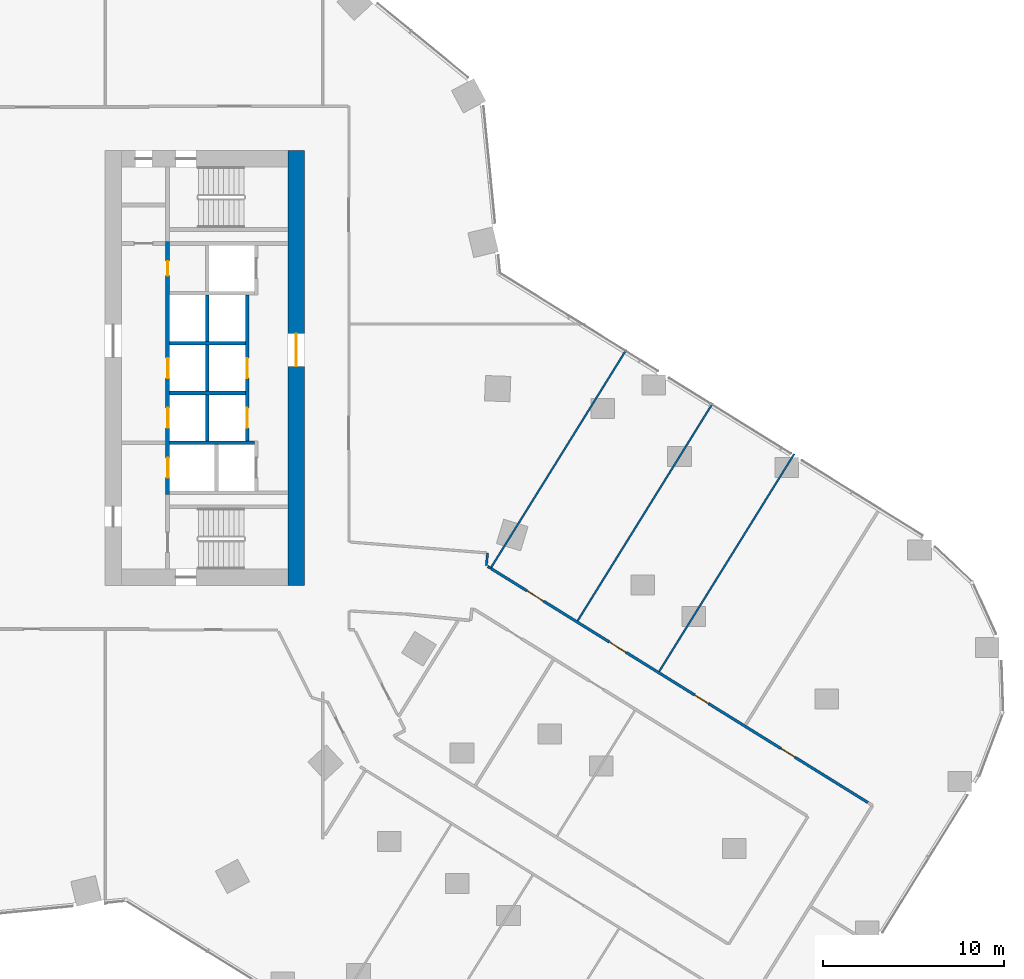
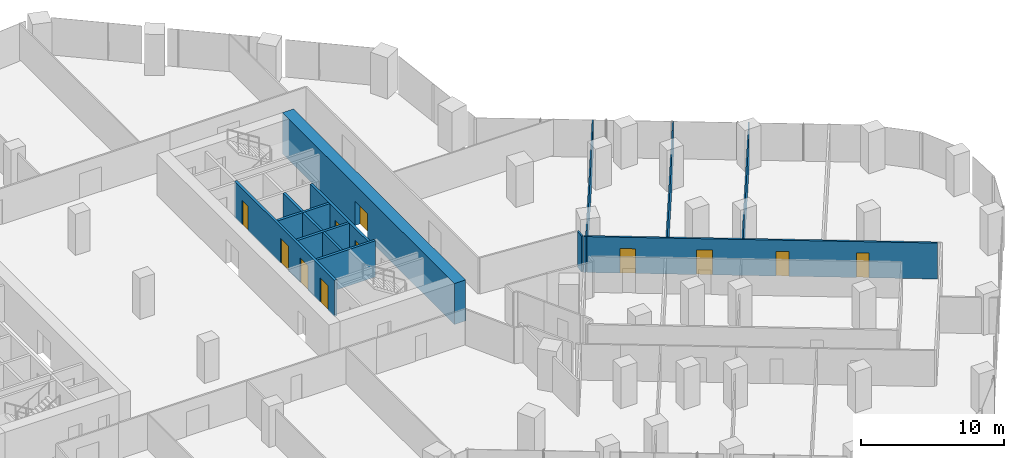
# One storey, part 31 of 34: 15 walls, 11 doors, 11 openings.
"""IFC4 building model written with IfcOpenShell, lengths in metres."""

from ifc_helpers import new_model, si_unit, direction, frame, frame_2d, origin, place, context, subcontext, project, spatial, rectangle, extrude, material, layer, layer_set, type_object, element, fill, save


model = new_model("IFC4")

# Units and contexts
model_context = context("Model", 3, precision=1e-05, world=origin(), true_north=direction((0.0, 1.0)))
body_context = subcontext(model_context, "Body", "Model", "MODEL_VIEW")
ifc_project = project(units=[si_unit("LENGTHUNIT", "METRE"), si_unit("AREAUNIT", "SQUARE_METRE"), si_unit("VOLUMEUNIT", "CUBIC_METRE"), si_unit("PLANEANGLEUNIT", "RADIAN"), si_unit("MASSUNIT", "GRAM", prefix="KILO")], contexts=[model_context])

# Site, building, storey
site_placement = place(None, origin())
site = spatial("IfcSite", under=ifc_project, at=site_placement, CompositionType="ELEMENT")
building_placement = place(site_placement, origin())
building = spatial("IfcBuilding", under=site, at=building_placement, Name="Orlundy Tower", CompositionType="ELEMENT")
storey_placement = place(building_placement, frame((0.0, 0.0, 40.800048828125)))
storey = spatial("IfcBuildingStorey", under=building, at=storey_placement, Name="L08", CompositionType="ELEMENT", Elevation=40.800048828125)

# Wall, opening, door
ifc_material_1 = material(Name="Concrete C80/95", Category="concrete")
ifc_layer_1 = layer(ifc_material_1, 0.89990234375)
ifc_layer_set_1 = layer_set([ifc_layer_1], Name="CORE WALL 900 C80/95")
wall_type_1 = type_object("IfcWallType", Name="CORE WALL 900 C80/95", PredefinedType="SHEAR", material=ifc_layer_set_1)
wall_1_placement = place(storey_placement, frame((18.550048828125, -12.0, 0.0), z_axis=(0.0, 0.0, 1.0), x_axis=(0.0, 1.0, 0.0)))
wall_1 = element("IfcWall", 1, at=wall_1_placement, inside=storey, type_object=wall_type_1, Name="Core wall E-E L08", PredefinedType="SHEAR", context=body_context, shape_type="SweptSolid", body=[
    extrude(rectangle(XDim=24.0, YDim=0.89990234375, at=frame_2d((12.0, 0.0))), origin(), (0.0, 0.0, 1.0), 3.5),
])
opening_1_placement = place(wall_1_placement, frame((12.10009765625, 0.0, 0.0)))
opening_1 = element("IfcOpeningElement", 2, at=opening_1_placement, cuts=wall_1, Name="Opening 09059", PredefinedType="OPENING", context=body_context, shape_type="SweptSolid", body=[
    extrude(rectangle(XDim=1.800048828125, YDim=2.10009765625, at=frame_2d((0.89990234375, 1.050048828125))), frame((0.0, 0.4599609375, 0.0), z_axis=(0.0, -1.0, 0.0), x_axis=(1.0, 0.0, 0.0)), (0.0, 0.0, 1.0), 0.919921875),
])
ifc_material_2 = material(Name="Timber door set", Category="wood")
door_type_1 = type_object("IfcDoorType", Name="Lobby Door 1800x2100", OperationType="DOUBLE_DOOR_DOUBLE_SWING", PredefinedType="DOOR", material=ifc_material_2)
door_1_placement = place(opening_1_placement, origin())
door_1 = element("IfcDoor", 3, at=door_1_placement, inside=storey, type_object=door_type_1, Name="Lift lobby door 09059", OperationType="SINGLE_SWING_RIGHT", OverallHeight=2.10009765625, OverallWidth=1.800048828125, PredefinedType="DOOR", context=body_context, shape_type="SweptSolid", body=[
    extrude(rectangle(XDim=1.800048828125, YDim=2.10009765625, at=frame_2d((0.89990234375, 1.050048828125))), frame((0.0, 0.02490234375, 0.0), z_axis=(0.0, -1.0, 0.0), x_axis=(1.0, 0.0, 0.0)), (0.0, 0.0, 1.0), 0.050048828125),
])
fill(opening_1, door_1)

# Walls
ifc_material_3 = material(Name="Gypsum board partition")
ifc_layer_2 = layer(ifc_material_3, 0.10009765625)
ifc_layer_set_2 = layer_set([ifc_layer_2], Name="Floor partition 100")
wall_type_2 = type_object("IfcWallType", Name="Floor partition 100", PredefinedType="PARTITIONING", material=ifc_layer_set_2)
for number, where, z_axis, x_axis, name in (
    (4, (38.573974609375, -16.737060546875, 0.0), (0.0, 0.0, 1.0), (0.527429557997, 0.849598764919, 0.0), "wall-int-L08-062"),
    (5, (34.072021484375, -13.94189453125, 0.0), (0.0, 0.0, 1.0), (0.527437304247, 0.84959395601, 0.0), "wall-int-L08-065"),
):
    element("IfcWall", number, at=place(storey_placement, frame(where, z_axis=z_axis, x_axis=x_axis)), inside=storey, type_object=wall_type_2, Name=name, PredefinedType="PARTITIONING", context=body_context, shape_type="SweptSolid", body=[
        extrude(rectangle(XDim=14.123046875, YDim=0.10009765625, at=frame_2d((7.0615234375, 0.0))), origin(), (0.0, 0.0, 1.0), 3.06005859375),
    ])
wall_2_placement = place(storey_placement, frame((29.26806640625, -11.048095703125, 0.0), z_axis=(0.0, 0.0, 1.0), x_axis=(0.527446323462, 0.849588356716, 0.0)))
element("IfcWall", 6, at=wall_2_placement, inside=storey, type_object=wall_type_2, Name="wall-int-L08-068", PredefinedType="PARTITIONING", context=body_context, shape_type="SweptSolid", body=[
    extrude(rectangle(XDim=14.19873046875, YDim=0.10009765625, at=frame_2d((7.099365234375, 0.0))), origin(), (0.0, 0.0, 1.0), 3.06005859375),
])
ifc_material_4 = material(Name="Gypsum board partition, double layer")
ifc_layer_3 = layer(ifc_material_4, 0.125)
ifc_layer_set_3 = layer_set([ifc_layer_3], Name="Floor partition 125")
wall_type_3 = type_object("IfcWallType", Name="Floor partition 125", PredefinedType="PARTITIONING", material=ifc_layer_set_3)
wall_3_placement = place(storey_placement, frame((29.116943359375, -10.955078125, 0.0), z_axis=(0.0, 0.0, 1.0), x_axis=(0.851611075983, -0.524174184087, 0.0)))
element("IfcWall", 7, at=wall_3_placement, inside=storey, type_object=wall_type_3, Name="wall-int-L08-027", PredefinedType="PARTITIONING", context=body_context, shape_type="SweptSolid", body=[
    extrude(rectangle(XDim=0.177490234375, YDim=0.125, at=frame_2d((0.0888671875, 0.0))), origin(), (0.0, 0.0, 1.0), 3.06005859375),
])
wall_4_placement = place(storey_placement, frame((29.031982421875, -10.902099609375, 0.0), z_axis=(0.0, 0.0, 1.0), x_axis=(0.098777968406, 0.995109497974, 0.0)))
element("IfcWall", 8, at=wall_4_placement, inside=storey, type_object=wall_type_3, Name="wall-int-L08-071", PredefinedType="PARTITIONING", context=body_context, shape_type="SweptSolid", body=[
    extrude(rectangle(XDim=0.699462890625, YDim=0.125, at=frame_2d((0.349609375, 0.0))), origin(), (0.0, 0.0, 1.0), 3.06005859375),
])

# Wall, openings, doors
ifc_material_5 = material(Name="Blockwork shaft wall", Category="masonry")
ifc_layer_4 = layer(ifc_material_5, 0.14990234375)
ifc_layer_set_4 = layer_set([ifc_layer_4], Name="Floor shaft wall 150")
wall_type_4 = type_object("IfcWallType", Name="Floor shaft wall 150", PredefinedType="PARTITIONING", material=ifc_layer_set_4)
wall_5_placement = place(storey_placement, frame((29.31005859375, -11.073974609375, 0.0), z_axis=(0.0, 0.0, 1.0), x_axis=(0.849545912719, -0.527514684329, 0.0)))
wall_5 = element("IfcWall", 9, at=wall_5_placement, inside=storey, type_object=wall_type_4, Name="wall-int-L08-026", PredefinedType="PARTITIONING", context=body_context, shape_type="SweptSolid", body=[
    extrude(rectangle(XDim=24.45654296875, YDim=0.14990234375, at=frame_2d((12.228271484375, 0.0))), origin(), (0.0, 0.0, 1.0), 3.06005859375),
])
opening_2_placement = place(wall_5_placement, frame((2.300048828125, 0.0, 0.0)))
opening_2 = element("IfcOpeningElement", 10, at=opening_2_placement, cuts=wall_5, Name="Opening 09100", PredefinedType="OPENING", context=body_context, shape_type="SweptSolid", body=[
    extrude(rectangle(XDim=1.10009765625, YDim=2.10009765625, at=frame_2d((0.550048828125, 1.050048828125))), frame((0.0, 0.0849609375, 0.0), z_axis=(0.0, -1.0, 0.0), x_axis=(1.0, 0.0, 0.0)), (0.0, 0.0, 1.0), 0.169921875),
])
opening_3_placement = place(wall_5_placement, frame((7.65771484375, 0.0, 0.0)))
opening_3 = element("IfcOpeningElement", 11, at=opening_3_placement, cuts=wall_5, Name="Opening 09101", PredefinedType="OPENING", context=body_context, shape_type="SweptSolid", body=[
    extrude(rectangle(XDim=1.10009765625, YDim=2.10009765625, at=frame_2d((0.550048828125, 1.050048828125))), frame((0.0, 0.0849609375, 0.0), z_axis=(0.0, -1.0, 0.0), x_axis=(1.0, 0.0, 0.0)), (0.0, 0.0, 1.0), 0.169921875),
])
opening_4_placement = place(wall_5_placement, frame((13.206787109375, 0.0, 0.0)))
opening_4 = element("IfcOpeningElement", 12, at=opening_4_placement, cuts=wall_5, Name="Opening 09104", PredefinedType="OPENING", context=body_context, shape_type="SweptSolid", body=[
    extrude(rectangle(XDim=0.89990234375, YDim=2.10009765625, at=frame_2d((0.449951171875, 1.050048828125))), frame((0.0, 0.0849609375, 0.0), z_axis=(0.0, -1.0, 0.0), x_axis=(1.0, 0.0, 0.0)), (0.0, 0.0, 1.0), 0.169921875),
])
opening_5_placement = place(wall_5_placement, frame((18.806396484375, 0.0, 0.0)))
opening_5 = element("IfcOpeningElement", 13, at=opening_5_placement, cuts=wall_5, Name="Opening 09107", PredefinedType="OPENING", context=body_context, shape_type="SweptSolid", body=[
    extrude(rectangle(XDim=0.89990234375, YDim=2.10009765625, at=frame_2d((0.449951171875, 1.050048828125))), frame((0.0, 0.0849609375, 0.0), z_axis=(0.0, -1.0, 0.0), x_axis=(1.0, 0.0, 0.0)), (0.0, 0.0, 1.0), 0.169921875),
])
ifc_material_6 = material(Name="Timber door leaf", Category="wood")
door_type_2 = type_object("IfcDoorType", Name="Floor door single 900 FD60", OperationType="NOTDEFINED", PredefinedType="DOOR", material=ifc_material_6)
door_2_placement = place(opening_4_placement, origin())
door_2 = element("IfcDoor", 14, at=door_2_placement, inside=storey, type_object=door_type_2, Name="Door 09104", OperationType="SINGLE_SWING_RIGHT", OverallHeight=2.10009765625, OverallWidth=0.89990234375, PredefinedType="DOOR", context=body_context, shape_type="SweptSolid", body=[
    extrude(rectangle(XDim=0.89990234375, YDim=2.10009765625, at=frame_2d((0.449951171875, 1.050048828125))), frame((0.0, 0.02490234375, 0.0), z_axis=(0.0, -1.0, 0.0), x_axis=(1.0, 0.0, 0.0)), (0.0, 0.0, 1.0), 0.050048828125),
])
fill(opening_4, door_2)
door_3_placement = place(opening_5_placement, origin())
door_3 = element("IfcDoor", 15, at=door_3_placement, inside=storey, type_object=door_type_2, Name="Door 09107", OperationType="SINGLE_SWING_RIGHT", OverallHeight=2.10009765625, OverallWidth=0.89990234375, PredefinedType="DOOR", context=body_context, shape_type="SweptSolid", body=[
    extrude(rectangle(XDim=0.89990234375, YDim=2.10009765625, at=frame_2d((0.449951171875, 1.050048828125))), frame((0.0, 0.02490234375, 0.0), z_axis=(0.0, -1.0, 0.0), x_axis=(1.0, 0.0, 0.0)), (0.0, 0.0, 1.0), 0.050048828125),
])
fill(opening_5, door_3)
ifc_material_7 = material(Name="Timber door leaf", Category="wood")
door_type_3 = type_object("IfcDoorType", Name="Floor door xwide 1100 FD60", OperationType="NOTDEFINED", PredefinedType="DOOR", material=ifc_material_7)
door_4_placement = place(opening_2_placement, origin())
door_4 = element("IfcDoor", 16, at=door_4_placement, inside=storey, type_object=door_type_3, Name="Door 09100", OperationType="SINGLE_SWING_LEFT", OverallHeight=2.10009765625, OverallWidth=1.10009765625, PredefinedType="DOOR", context=body_context, shape_type="SweptSolid", body=[
    extrude(rectangle(XDim=1.10009765625, YDim=2.10009765625, at=frame_2d((0.550048828125, 1.050048828125))), frame((0.0, 0.02490234375, 0.0), z_axis=(0.0, -1.0, 0.0), x_axis=(1.0, 0.0, 0.0)), (0.0, 0.0, 1.0), 0.050048828125),
])
fill(opening_2, door_4)
door_5_placement = place(opening_3_placement, origin())
door_5 = element("IfcDoor", 17, at=door_5_placement, inside=storey, type_object=door_type_3, Name="Door 09101", OperationType="SINGLE_SWING_LEFT", OverallHeight=2.10009765625, OverallWidth=1.10009765625, PredefinedType="DOOR", context=body_context, shape_type="SweptSolid", body=[
    extrude(rectangle(XDim=1.10009765625, YDim=2.10009765625, at=frame_2d((0.550048828125, 1.050048828125))), frame((0.0, 0.02490234375, 0.0), z_axis=(0.0, -1.0, 0.0), x_axis=(1.0, 0.0, 0.0)), (0.0, 0.0, 1.0), 0.050048828125),
])
fill(opening_3, door_5)

# Walls
ifc_material_8 = material(Name="Fire-rated blockwork shaft wall", Category="masonry")
ifc_layer_5 = layer(ifc_material_8, 0.199951171875)
ifc_layer_set_5 = layer_set([ifc_layer_5], Name="Shaft Wall 200")
wall_type_5 = type_object("IfcWallType", Name="Shaft Wall 200", PredefinedType="SOLIDWALL", material=ifc_layer_set_5)
for number, where, z_axis, x_axis, name in (
    (18, (11.5400390625, 1.375, 0.0), (0.0, 0.0, 1.0), (1.0, 0.0, 0.0), "Shaft wall E09-cross-1.375"),
    (19, (11.5400390625, -1.375, 0.0), (0.0, 0.0, 1.0), (1.0, 0.0, 0.0), "Shaft wall E09-cross+1.375"),
):
    element("IfcWall", number, at=place(storey_placement, frame(where, z_axis=z_axis, x_axis=x_axis)), inside=storey, type_object=wall_type_5, Name=name, PredefinedType="SOLIDWALL", context=body_context, shape_type="SweptSolid", body=[
        extrude(rectangle(XDim=4.199951171875, YDim=0.199951171875, at=frame_2d((2.10009765625, 0.0))), origin(), (0.0, 0.0, 1.0), 3.079833984375),
    ])
wall_6_placement = place(storey_placement, frame((11.5400390625, -4.125, 0.0), z_axis=(0.0, 0.0, 1.0), x_axis=(1.0, 0.0, 0.0)))
element("IfcWall", 20, at=wall_6_placement, inside=storey, type_object=wall_type_5, Name="Shaft wall E09-cross+4.125", PredefinedType="SOLIDWALL", context=body_context, shape_type="SweptSolid", body=[
    extrude(rectangle(XDim=4.699951171875, YDim=0.199951171875, at=frame_2d((2.35009765625, 0.0))), origin(), (0.0, 0.0, 1.0), 3.079833984375),
])

# Wall, openings, doors
wall_7_placement = place(storey_placement, frame((11.43994140625, 6.97509765625, 0.0), z_axis=(0.0, 0.0, 1.0), x_axis=(0.0, -1.0, 0.0)))
wall_7 = element("IfcWall", 21, at=wall_7_placement, inside=storey, type_object=wall_type_5, Name="Shaft wall E09-front-h", PredefinedType="SOLIDWALL", context=body_context, shape_type="SweptSolid", body=[
    extrude(rectangle(XDim=13.9501953125, YDim=0.199951171875, at=frame_2d((6.97509765625, 0.0))), origin(), (0.0, 0.0, 1.0), 3.079833984375),
])
opening_6_placement = place(wall_7_placement, frame((6.425048828125, 0.0, 0.0)))
opening_6 = element("IfcOpeningElement", 22, at=opening_6_placement, cuts=wall_7, Name="Opening 09051", PredefinedType="OPENING", context=body_context, shape_type="SweptSolid", body=[
    extrude(rectangle(XDim=1.10009765625, YDim=2.10009765625, at=frame_2d((0.550048828125, 1.050048828125))), frame((0.0, 0.110107421875, 0.0), z_axis=(0.0, -1.0, 0.0), x_axis=(1.0, 0.0, 0.0)), (0.0, 0.0, 1.0), 0.22021484375),
])
opening_7_placement = place(wall_7_placement, frame((9.175048828125, 0.0, 0.0)))
opening_7 = element("IfcOpeningElement", 23, at=opening_7_placement, cuts=wall_7, Name="Opening 09053", PredefinedType="OPENING", context=body_context, shape_type="SweptSolid", body=[
    extrude(rectangle(XDim=1.10009765625, YDim=2.10009765625, at=frame_2d((0.550048828125, 1.050048828125))), frame((0.0, 0.110107421875, 0.0), z_axis=(0.0, -1.0, 0.0), x_axis=(1.0, 0.0, 0.0)), (0.0, 0.0, 1.0), 0.22021484375),
])
opening_8_placement = place(wall_7_placement, frame((11.925048828125, 0.0, 0.0)))
opening_8 = element("IfcOpeningElement", 24, at=opening_8_placement, cuts=wall_7, Name="Opening 09055", PredefinedType="OPENING", context=body_context, shape_type="SweptSolid", body=[
    extrude(rectangle(XDim=1.10009765625, YDim=2.10009765625, at=frame_2d((0.550048828125, 1.050048828125))), frame((0.0, 0.110107421875, 0.0), z_axis=(0.0, -1.0, 0.0), x_axis=(1.0, 0.0, 0.0)), (0.0, 0.0, 1.0), 0.22021484375),
])
opening_9_placement = place(wall_7_placement, frame((1.074951171875, 0.0, 0.0)))
opening_9 = element("IfcOpeningElement", 25, at=opening_9_placement, cuts=wall_7, Name="Opening 09057", PredefinedType="OPENING", context=body_context, shape_type="SweptSolid", body=[
    extrude(rectangle(XDim=0.800048828125, YDim=2.10009765625, at=frame_2d((0.39990234375, 1.050048828125))), frame((0.0, 0.110107421875, 0.0), z_axis=(0.0, -1.0, 0.0), x_axis=(1.0, 0.0, 0.0)), (0.0, 0.0, 1.0), 0.22021484375),
])
ifc_material_9 = material(Name="Steel door set", Category="steel")
door_type_4 = type_object("IfcDoorType", Name="Landing Door 1100x2100", OperationType="DOUBLE_DOOR_SLIDING", PredefinedType="DOOR", material=ifc_material_9)
door_6_placement = place(opening_6_placement, origin())
door_6 = element("IfcDoor", 26, at=door_6_placement, inside=storey, type_object=door_type_4, Name="Lift landing door LP-10 09051", OperationType="DOUBLE_DOOR_SLIDING", OverallHeight=2.10009765625, OverallWidth=1.10009765625, PredefinedType="DOOR", context=body_context, shape_type="SweptSolid", body=[
    extrude(rectangle(XDim=1.10009765625, YDim=2.10009765625, at=frame_2d((0.550048828125, 1.050048828125))), frame((0.0, 0.02490234375, 0.0), z_axis=(0.0, -1.0, 0.0), x_axis=(1.0, 0.0, 0.0)), (0.0, 0.0, 1.0), 0.050048828125),
])
fill(opening_6, door_6)
door_7_placement = place(opening_7_placement, origin())
door_7 = element("IfcDoor", 27, at=door_7_placement, inside=storey, type_object=door_type_4, Name="Lift landing door LP-07 09053", OperationType="DOUBLE_DOOR_SLIDING", OverallHeight=2.10009765625, OverallWidth=1.10009765625, PredefinedType="DOOR", context=body_context, shape_type="SweptSolid", body=[
    extrude(rectangle(XDim=1.10009765625, YDim=2.10009765625, at=frame_2d((0.550048828125, 1.050048828125))), frame((0.0, 0.02490234375, 0.0), z_axis=(0.0, -1.0, 0.0), x_axis=(1.0, 0.0, 0.0)), (0.0, 0.0, 1.0), 0.050048828125),
])
fill(opening_7, door_7)
door_8_placement = place(opening_8_placement, origin())
door_8 = element("IfcDoor", 28, at=door_8_placement, inside=storey, type_object=door_type_4, Name="Lift landing door FL2 09055", OperationType="DOUBLE_DOOR_SLIDING", OverallHeight=2.10009765625, OverallWidth=1.10009765625, PredefinedType="DOOR", context=body_context, shape_type="SweptSolid", body=[
    extrude(rectangle(XDim=1.10009765625, YDim=2.10009765625, at=frame_2d((0.550048828125, 1.050048828125))), frame((0.0, 0.02490234375, 0.0), z_axis=(0.0, -1.0, 0.0), x_axis=(1.0, 0.0, 0.0)), (0.0, 0.0, 1.0), 0.050048828125),
])
fill(opening_8, door_8)
ifc_material_10 = material(Name="Timber door set", Category="wood")
door_type_5 = type_object("IfcDoorType", Name="Riser Door 800x2100", OperationType="SINGLE_SWING_LEFT", PredefinedType="DOOR", material=ifc_material_10)
door_9_placement = place(opening_9_placement, origin())
door_9 = element("IfcDoor", 29, at=door_9_placement, inside=storey, type_object=door_type_5, Name="Electrical Riser Room door 09057", OperationType="SINGLE_SWING_LEFT", OverallHeight=2.10009765625, OverallWidth=0.800048828125, PredefinedType="DOOR", context=body_context, shape_type="SweptSolid", body=[
    extrude(rectangle(XDim=0.800048828125, YDim=2.10009765625, at=frame_2d((0.39990234375, 1.050048828125))), frame((0.0, 0.02490234375, 0.0), z_axis=(0.0, -1.0, 0.0), x_axis=(1.0, 0.0, 0.0)), (0.0, 0.0, 1.0), 0.050048828125),
])
fill(opening_9, door_9)

# Walls
for number, where, z_axis, x_axis, name in (
    (30, (13.639892578125, 4.02490234375, 0.0), (0.0, 0.0, 1.0), (0.0, -1.0, 0.0), "Shaft wall E09-mid-a.1"),
    (31, (13.639892578125, 1.27490234375, 0.0), (0.0, 0.0, 1.0), (0.0, -1.0, 0.0), "Shaft wall E09-mid-a.2"),
    (32, (13.639892578125, -1.47509765625, 0.0), (0.0, 0.0, 1.0), (0.0, -1.0, 0.0), "Shaft wall E09-mid-a.3"),
):
    element("IfcWall", number, at=place(storey_placement, frame(where, z_axis=z_axis, x_axis=x_axis)), inside=storey, type_object=wall_type_5, Name=name, PredefinedType="SOLIDWALL", context=body_context, shape_type="SweptSolid", body=[
        extrude(rectangle(XDim=2.5498046875, YDim=0.199951171875, at=frame_2d((1.27490234375, 0.0))), origin(), (0.0, 0.0, 1.0), 3.079833984375),
    ])

# Wall, openings, doors
wall_8_placement = place(storey_placement, frame((15.840087890625, 4.02490234375, 0.0), z_axis=(0.0, 0.0, 1.0), x_axis=(0.0, -1.0, 0.0)))
wall_8 = element("IfcWall", 33, at=wall_8_placement, inside=storey, type_object=wall_type_5, Name="Shaft wall E09-front-o-b", PredefinedType="SOLIDWALL", context=body_context, shape_type="SweptSolid", body=[
    extrude(rectangle(XDim=8.0498046875, YDim=0.199951171875, at=frame_2d((4.02490234375, 0.0))), origin(), (0.0, 0.0, 1.0), 3.079833984375),
])
opening_10_placement = place(wall_8_placement, frame((3.47509765625, 0.0, 0.0)))
opening_10 = element("IfcOpeningElement", 34, at=opening_10_placement, cuts=wall_8, Name="Opening 09052", PredefinedType="OPENING", context=body_context, shape_type="SweptSolid", body=[
    extrude(rectangle(XDim=1.10009765625, YDim=2.10009765625, at=frame_2d((0.550048828125, 1.050048828125))), frame((0.0, 0.110107421875, 0.0), z_axis=(0.0, -1.0, 0.0), x_axis=(1.0, 0.0, 0.0)), (0.0, 0.0, 1.0), 0.22021484375),
])
opening_11_placement = place(wall_8_placement, frame((6.22509765625, 0.0, 0.0)))
opening_11 = element("IfcOpeningElement", 35, at=opening_11_placement, cuts=wall_8, Name="Opening 09054", PredefinedType="OPENING", context=body_context, shape_type="SweptSolid", body=[
    extrude(rectangle(XDim=1.10009765625, YDim=2.10009765625, at=frame_2d((0.550048828125, 1.050048828125))), frame((0.0, 0.110107421875, 0.0), z_axis=(0.0, -1.0, 0.0), x_axis=(1.0, 0.0, 0.0)), (0.0, 0.0, 1.0), 0.22021484375),
])
door_10_placement = place(opening_10_placement, origin())
door_10 = element("IfcDoor", 36, at=door_10_placement, inside=storey, type_object=door_type_4, Name="Lift landing door LP-06 09052", OperationType="DOUBLE_DOOR_SLIDING", OverallHeight=2.10009765625, OverallWidth=1.10009765625, PredefinedType="DOOR", context=body_context, shape_type="SweptSolid", body=[
    extrude(rectangle(XDim=1.10009765625, YDim=2.10009765625, at=frame_2d((0.550048828125, 1.050048828125))), frame((0.0, 0.02490234375, 0.0), z_axis=(0.0, -1.0, 0.0), x_axis=(1.0, 0.0, 0.0)), (0.0, 0.0, 1.0), 0.050048828125),
])
fill(opening_10, door_10)
door_11_placement = place(opening_11_placement, origin())
door_11 = element("IfcDoor", 37, at=door_11_placement, inside=storey, type_object=door_type_4, Name="Lift landing door LP-08 09054", OperationType="DOUBLE_DOOR_SLIDING", OverallHeight=2.10009765625, OverallWidth=1.10009765625, PredefinedType="DOOR", context=body_context, shape_type="SweptSolid", body=[
    extrude(rectangle(XDim=1.10009765625, YDim=2.10009765625, at=frame_2d((0.550048828125, 1.050048828125))), frame((0.0, 0.02490234375, 0.0), z_axis=(0.0, -1.0, 0.0), x_axis=(1.0, 0.0, 0.0)), (0.0, 0.0, 1.0), 0.050048828125),
])
fill(opening_11, door_11)

save(model, "model.ifc")
